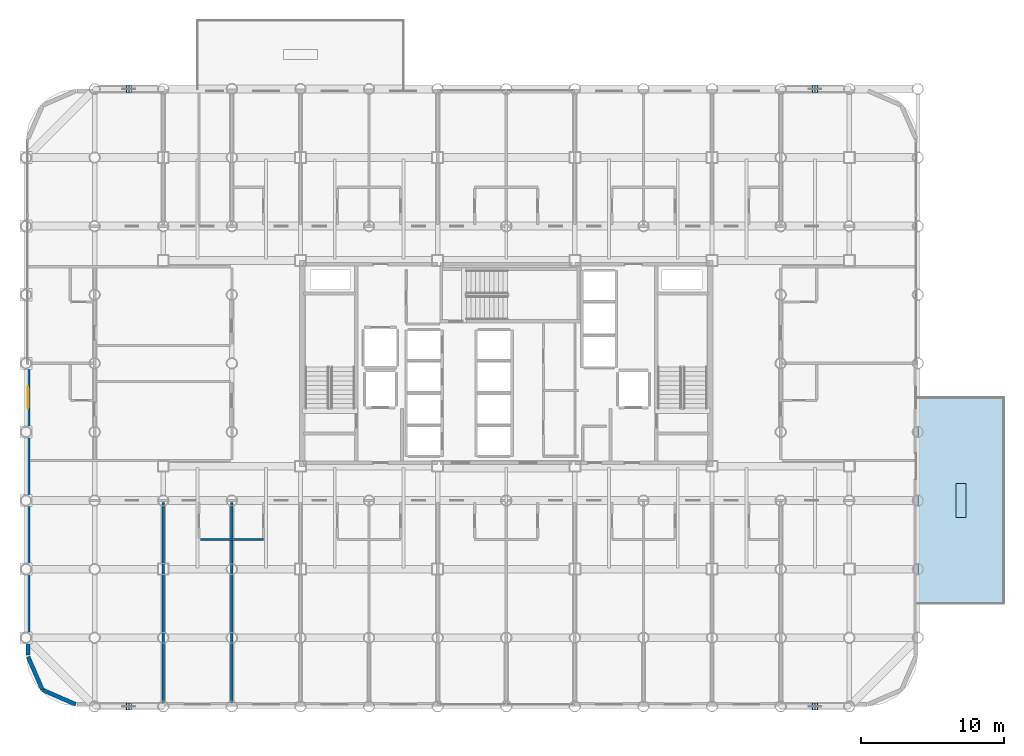
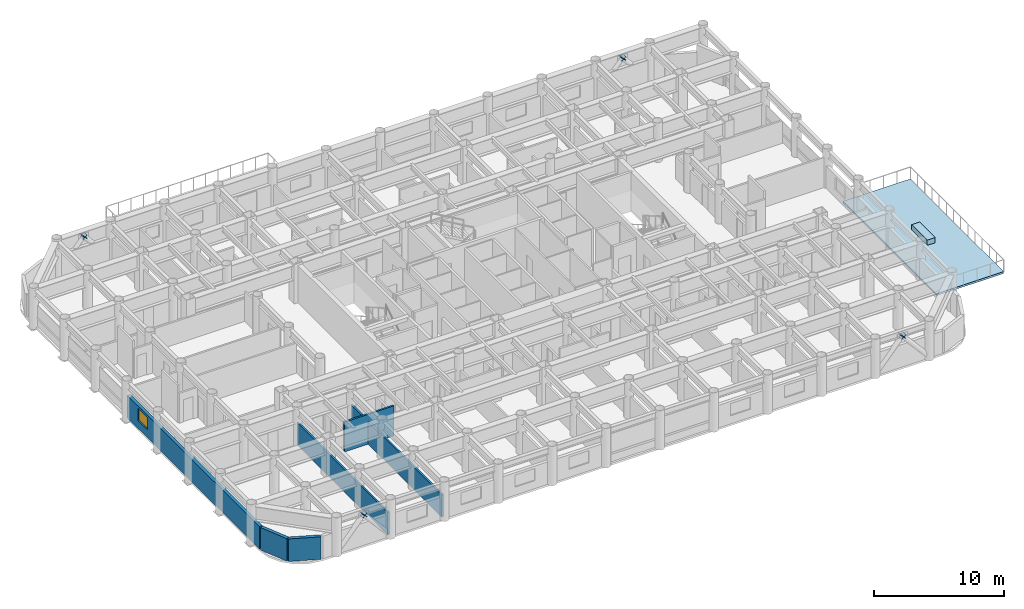
# One storey, part 16 of 24: 9 plates, 6 walls, 1 slab, 1 window, 1 opening.
"""IFC4 building model written with IfcOpenShell, lengths in metres."""

from ifc_helpers import new_model, si_unit, direction, frame, frame_2d, origin, origin_2d, place, context, subcontext, project, spatial, polyline, rectangle, outline, extrude, material, layer, layer_set, type_object, element, fill, save


model = new_model("IFC4")

# Units and contexts
model_context = context("Model", 3, precision=1e-05, world=origin(), true_north=direction((0.0, 1.0)))
body_context = subcontext(model_context, "Body", "Model", "MODEL_VIEW")
ifc_project = project(units=[si_unit("LENGTHUNIT", "METRE"), si_unit("AREAUNIT", "SQUARE_METRE"), si_unit("VOLUMEUNIT", "CUBIC_METRE"), si_unit("PLANEANGLEUNIT", "RADIAN"), si_unit("MASSUNIT", "GRAM", prefix="KILO")], contexts=[model_context])

# Site, building, storey
site_placement = place(None, origin())
site = spatial("IfcSite", under=ifc_project, at=site_placement, CompositionType="ELEMENT")
building_placement = place(site_placement, origin())
building = spatial("IfcBuilding", under=site, at=building_placement, Name="Kallvorn Hotel Tower", CompositionType="ELEMENT")
storey_placement = place(building_placement, frame((0.0, 0.0, 30.0)))
storey = spatial("IfcBuildingStorey", under=building, at=storey_placement, Name="L05", CompositionType="ELEMENT", Elevation=30.0)

# Plates
ifc_material_1 = material(Name="Structural steel S355JR", Category="steel")
ifc_layer_1 = layer(ifc_material_1, 0.030029296875)
ifc_layer_set_1 = layer_set([ifc_layer_1], Name="PLT_CAP_30")
plate_type_1 = type_object("IfcPlateType", Name="PLT_CAP_30", PredefinedType="SHEET", material=ifc_layer_set_1)
for number, where, z_axis, x_axis, name in (
    (1, (-26.20947265625, -24.2431640625, 2.80859375), (0.653515319717, 0.0, 0.756913288888), (0.0, 1.0, 0.0), "EXO-L05-S1A End Cap Plate B"),
    (2, (-26.590576171875, -23.7568359375, 2.80859375), (-0.653515319717, 0.0, 0.756913288888), (0.0, -1.0, 0.0), "EXO-L05-S1B End Cap Plate B"),
    (3, (21.79052734375, -24.2431640625, 2.80859375), (0.653515319717, 0.0, 0.756913288888), (0.0, 1.0, 0.0), "EXO-L05-S2A End Cap Plate B"),
    (4, (21.409423828125, -23.7568359375, 2.80859375), (-0.653515319717, 0.0, 0.756913288888), (0.0, -1.0, 0.0), "EXO-L05-S2B End Cap Plate B"),
    (5, (-26.20947265625, 18.956787109375, 2.80859375), (0.653515319717, 0.0, 0.756913288888), (0.0, 1.0, 0.0), "EXO-L05-N1A End Cap Plate B"),
    (6, (-26.590576171875, 19.443115234375, 2.80859375), (-0.653515319717, 0.0, 0.756913288888), (0.0, -1.0, 0.0), "EXO-L05-N1B End Cap Plate B"),
    (7, (21.79052734375, 18.956787109375, 2.80859375), (0.653515319717, 0.0, 0.756913288888), (0.0, 1.0, 0.0), "EXO-L05-N2A End Cap Plate B"),
    (8, (21.409423828125, 19.443115234375, 2.80859375), (-0.653515319717, 0.0, 0.756913288888), (0.0, -1.0, 0.0), "EXO-L05-N2B End Cap Plate B"),
):
    element("IfcPlate", number, at=place(storey_placement, frame(where, z_axis=z_axis, x_axis=x_axis)), inside=storey, type_object=plate_type_1, Name=name, PredefinedType="SHEET", context=body_context, shape_type="SweptSolid", body=[
        extrude(outline(polyline([(0.0, 0.0), (0.486328125, 0.0), (0.486328125, 0.4864019008580509), (0.0, 0.4864019008580509), (0.0, 0.0)])), origin(), (0.0, 0.0, -1.0), 0.030029296875),
    ])
ifc_material_2 = material(Name="Powder-coated marine-grade aluminium planter trough", Category="aluminium")
ifc_layer_2 = layer(ifc_material_2, 0.0400390625)
ifc_layer_set_2 = layer_set([ifc_layer_2], Name="PLT_PLANTER_TROUGH")
plate_type_2 = type_object("IfcPlateType", Name="PLT_PLANTER_TROUGH", PredefinedType="USERDEFINED", material=ifc_layer_set_2)
plate_placement = place(storey_placement, frame((31.800048828125, -9.60009765625, 0.0), z_axis=(0.0, 0.0, 1.0), x_axis=(0.0, 1.0, 0.0)))
element("IfcPlate", 9, at=plate_placement, inside=storey, type_object=plate_type_2, Name="TER-L05-E Step-Off Terrace Planter", ObjectType="FACADE PLANTER TROUGH", PredefinedType="USERDEFINED", context=body_context, shape_type="SweptSolid", body=[
    extrude(rectangle(XDim=2.39990234375, YDim=0.699951171875, at=origin_2d()), origin(), (0.0, 0.0, 1.0), 0.5),
])

# Slab
ifc_material_3 = material(Name="Concrete C40/50", Category="concrete")
ifc_layer_3 = layer(ifc_material_3, 0.179931640625)
ifc_layer_set_3 = layer_set([ifc_layer_3], Name="SLB_TERRACE_180")
slab_type = type_object("IfcSlabType", Name="SLB_TERRACE_180", PredefinedType="ROOF", material=ifc_layer_set_3)
slab_placement = place(storey_placement, frame((0.0, 0.0, -0.179931640625)))
element("IfcSlab", 10, at=slab_placement, inside=storey, type_object=slab_type, Name="L05 Jenga Step-Off Garden Terrace TER-L05-E", PredefinedType="ROOF", context=body_context, shape_type="SweptSolid", body=[
    extrude(outline(polyline([(28.800048828125, -16.800048828125), (34.800048828125, -16.800048828125), (34.800048828125, -2.39990234375), (28.800048828125, -2.39990234375), (28.800048828125, -16.800048828125)])), origin(), (0.0, 0.0, 1.0), 0.179931640625),
])

# Walls
ifc_material_4 = material(Name="Fire-rated double-layer acoustic gypsum drywall EI 60")
ifc_layer_4 = layer(ifc_material_4, 0.159912109375)
ifc_layer_set_4 = layer_set([ifc_layer_4], Name="WL_DEMISE_160")
wall_type_1 = type_object("IfcWallType", Name="WL_DEMISE_160", PredefinedType="PARTITIONING", material=ifc_layer_set_4)
wall_1_placement = place(storey_placement, frame((-21.409912109375, -12.320068359375, 0.0), z_axis=(0.0, 0.0, 1.0), x_axis=(1.0, 0.0, 0.0)))
element("IfcWall", 11, at=wall_1_placement, inside=storey, type_object=wall_type_1, Name="L05 Suite 505 Superior Twin Room Partition", PredefinedType="PARTITIONING", context=body_context, shape_type="SweptSolid", body=[
    extrude(rectangle(XDim=4.419921875, YDim=0.159912109375, at=frame_2d((2.2099609375, 0.0))), origin(), (0.0, 0.0, 1.0), 2.820068359375),
])
for number, where, z_axis, x_axis, name in (
    (12, (-24.0, -23.7099609375, 0.0), (0.0, 0.0, 1.0), (0.0, 1.0, 0.0), "L05 Suite 505 Superior Twin Room Partition"),
    (13, (-19.199951171875, -23.7099609375, 0.0), (0.0, 0.0, 1.0), (0.0, 1.0, 0.0), "L05 Suite 505 Superior Twin Room Partition"),
):
    element("IfcWall", number, at=place(storey_placement, frame(where, z_axis=z_axis, x_axis=x_axis)), inside=storey, type_object=wall_type_1, Name=name, PredefinedType="PARTITIONING", context=body_context, shape_type="SweptSolid", body=[
        extrude(rectangle(XDim=13.989990234375, YDim=0.159912109375, at=frame_2d((6.9951171875, 0.0))), origin(), (0.0, 0.0, 1.0), 2.1201171875),
    ])
ifc_material_5 = material(Name="Precast basalt-clad insulated concrete wall C40/50", Category="masonry")
ifc_layer_5 = layer(ifc_material_5, 0.280029296875)
ifc_layer_set_5 = layer_set([ifc_layer_5], Name="WL_EXT_LOGGIA_280")
wall_type_2 = type_object("IfcWallType", Name="WL_EXT_LOGGIA_280", PredefinedType="SOLIDWALL", material=ifc_layer_set_5)
wall_2_placement = place(storey_placement, frame((-33.4580078125, -20.520751953125, 0.0), z_axis=(0.0, 0.0, 1.0), x_axis=(0.398792985289, -0.917040977756, 0.0)))
element("IfcWall", 14, at=wall_2_placement, inside=storey, type_object=wall_type_2, Name="L05 Rounded Corner Exterior Wall SW1", PredefinedType="SOLIDWALL", context=body_context, shape_type="SweptSolid", body=[
    extrude(rectangle(XDim=2.536376953125, YDim=0.280029296875, at=frame_2d((1.26806640625, 0.0))), origin(), (0.0, 0.0, 1.0), 2.1201171875),
])
wall_3_placement = place(storey_placement, frame((-32.446533203125, -22.8466796875, 0.0), z_axis=(0.0, 0.0, 1.0), x_axis=(0.917060872934, -0.398747232384, 0.0)))
element("IfcWall", 15, at=wall_3_placement, inside=storey, type_object=wall_type_2, Name="L05 Rounded Corner Exterior Wall SW2", PredefinedType="SOLIDWALL", context=body_context, shape_type="SweptSolid", body=[
    extrude(rectangle(XDim=2.5361328125, YDim=0.280029296875, at=frame_2d((1.26806640625, 0.0))), origin(), (0.0, 0.0, 1.0), 2.1201171875),
])

# Wall, opening, window
wall_4_placement = place(storey_placement, frame((-33.4599609375, -20.39990234375, 0.0), z_axis=(0.0, 0.0, 1.0), x_axis=(0.0, 1.0, 0.0)))
wall_4 = element("IfcWall", 16, at=wall_4_placement, inside=storey, type_object=wall_type_2, Name="L05 Exterior Envelope Wall EW-L05-WS", PredefinedType="SOLIDWALL", context=body_context, shape_type="SweptSolid", body=[
    extrude(rectangle(XDim=20.3798828125, YDim=0.280029296875, at=frame_2d((10.18994140625, 0.0))), origin(), (0.0, 0.0, 1.0), 2.1201171875),
])
opening_placement = place(wall_4_placement, frame((17.25, 0.0, 0.75)))
opening = element("IfcOpeningElement", 17, at=opening_placement, cuts=wall_4, Name="Opening W05A", PredefinedType="OPENING", context=body_context, shape_type="SweptSolid", body=[
    extrude(rectangle(XDim=1.5, YDim=1.14990234375, at=frame_2d((0.75, 0.574951171875))), frame((0.0, 0.155029296875, 0.0), z_axis=(0.0, -1.0, 0.0), x_axis=(1.0, 0.0, 0.0)), (0.0, 0.0, 1.0), 0.31005859375),
])
ifc_material_6 = material(Name="Double-glazed low-e solar-control dark glass", Category="glass")
window_type = type_object("IfcWindowType", Name="WN_HTL_1500x1150", PartitioningType="SINGLE_PANEL", PredefinedType="WINDOW", material=ifc_material_6)
window_placement = place(opening_placement, origin())
window = element("IfcWindow", 18, at=window_placement, inside=storey, type_object=window_type, Name="L05 Flank Wing Window 01", OverallHeight=1.14990234375, OverallWidth=1.5, PartitioningType="SINGLE_PANEL", PredefinedType="WINDOW", context=body_context, shape_type="SweptSolid", body=[
    extrude(rectangle(XDim=1.5, YDim=1.14990234375, at=frame_2d((0.75, 0.574951171875))), frame((0.0, 0.030029296875, 0.0), z_axis=(0.0, -1.0, 0.0), x_axis=(1.0, 0.0, 0.0)), (0.0, 0.0, 1.0), 0.06005859375),
])
fill(opening, window)

save(model, "model.ifc")
